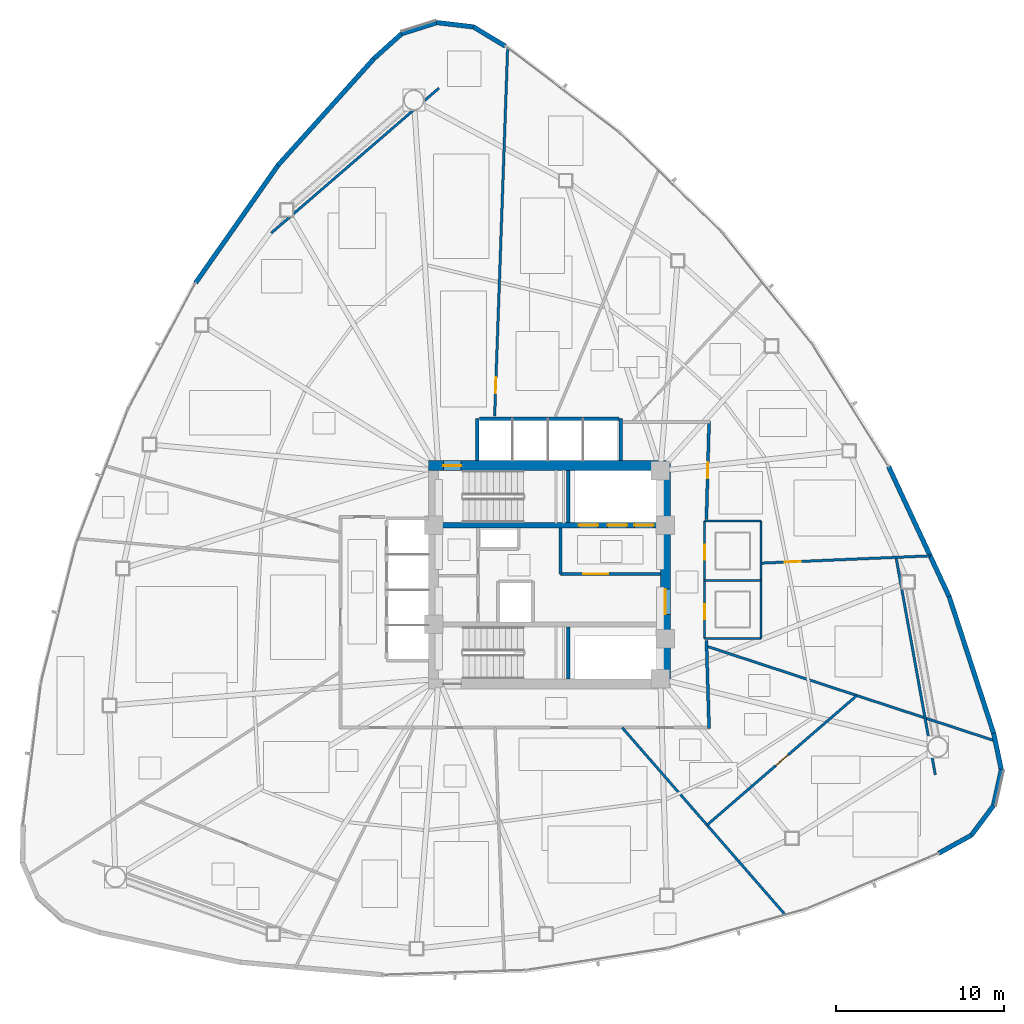
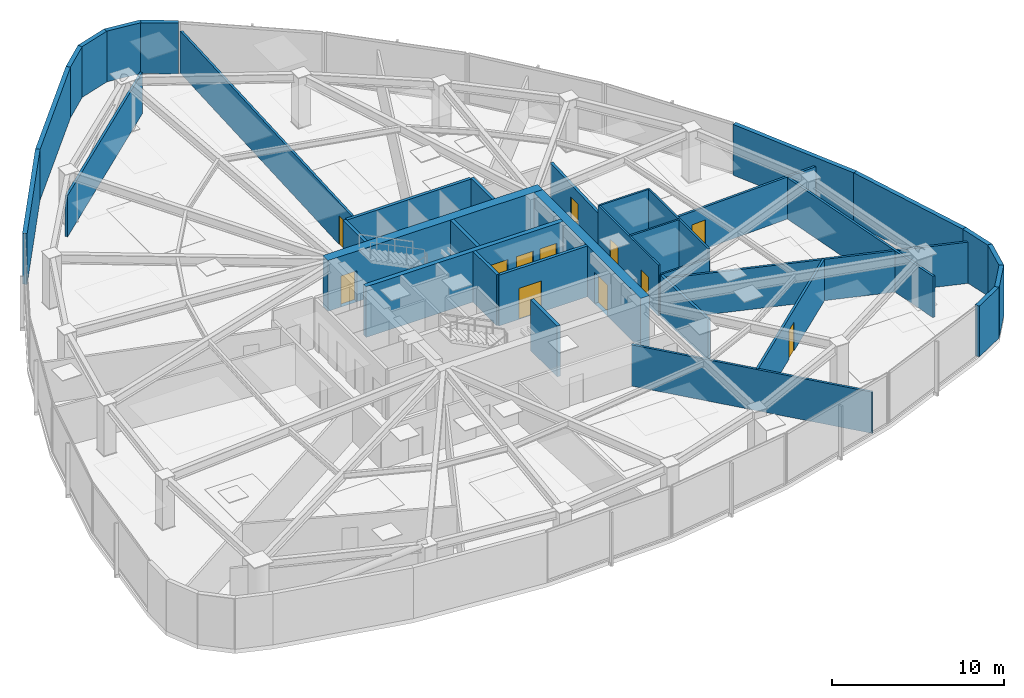
# One storey, part 13 of 18: 36 walls, 12 doors, 12 openings.
"""IFC4 building model written with IfcOpenShell, lengths in metres."""

from ifc_helpers import new_model, si_unit, direction, frame, frame_2d, origin, place, context, subcontext, project, spatial, rectangle, extrude, material, layer, layer_set, type_object, element, fill, save


model = new_model("IFC4")

# Units and contexts
model_context = context("Model", 3, precision=1e-05, world=origin(), true_north=direction((0.0, 1.0)))
body_context = subcontext(model_context, "Body", "Model", "MODEL_VIEW")
ifc_project = project(units=[si_unit("LENGTHUNIT", "METRE"), si_unit("AREAUNIT", "SQUARE_METRE"), si_unit("VOLUMEUNIT", "CUBIC_METRE"), si_unit("PLANEANGLEUNIT", "RADIAN"), si_unit("MASSUNIT", "GRAM", prefix="KILO")], contexts=[model_context])

# Site, building, storey
site_placement = place(None, origin())
site = spatial("IfcSite", under=ifc_project, at=site_placement, CompositionType="ELEMENT")
building_placement = place(site_placement, origin())
building = spatial("IfcBuilding", under=site, at=building_placement, Name="Tavelor Broadcast Tower", CompositionType="ELEMENT")
storey_placement = place(building_placement, frame((0.0, 0.0, 47.10009765625)))
storey = spatial("IfcBuildingStorey", under=building, at=storey_placement, Name="L10", CompositionType="ELEMENT", Elevation=47.10009765625)

# Wall, opening, door
ifc_material_1 = material(Name="Concrete C60/75", Category="concrete")
ifc_layer_1 = layer(ifc_material_1, 0.60009765625)
ifc_layer_set_1 = layer_set([ifc_layer_1], Name="Concrete C60/75")
wall_type_1 = type_object("IfcWallType", Name="Core Shear Wall 600 mm", PredefinedType="SHEAR", material=ifc_layer_set_1)
wall_1_placement = place(storey_placement, frame((42.800048828125, 51.5, 0.0), z_axis=(0.0, 0.0, 1.0), x_axis=(1.0, 0.0, 0.0)))
wall_1 = element("IfcWall", 1, at=wall_1_placement, inside=storey, type_object=wall_type_1, Name="L10 Central Core Shear Wall N", PredefinedType="SHEAR", context=body_context, shape_type="SweptSolid", body=[
    extrude(rectangle(XDim=14.39990234375, YDim=0.60009765625, at=frame_2d((7.199951171875, 0.0))), origin(), (0.0, 0.0, 1.0), 3.599853515625),
])
opening_1_placement = place(wall_1_placement, frame((0.8798828125, 0.0, 0.0)))
opening_1 = element("IfcOpeningElement", 2, at=opening_1_placement, cuts=wall_1, Name="Opening DR11", PredefinedType="OPENING", context=body_context, shape_type="SweptSolid", body=[
    extrude(rectangle(XDim=1.050048828125, YDim=2.199951171875, at=frame_2d((0.52490234375, 1.10009765625))), frame((0.0, 0.31005859375, 0.0), z_axis=(0.0, -1.0, 0.0), x_axis=(1.0, 0.0, 0.0)), (0.0, 0.0, 1.0), 0.6201171875),
])
ifc_material_2 = material(Name="Steel S355", Category="steel")
door_type_1 = type_object("IfcDoorType", Name="Stair Core Fire Escape Door 1050x2200", OperationType="NOTDEFINED", PredefinedType="DOOR", material=ifc_material_2)
door_1_placement = place(opening_1_placement, origin())
door_1 = element("IfcDoor", 3, at=door_1_placement, inside=storey, type_object=door_type_1, Name="L10 Stair ST1 Protected Exit Door", OperationType="SINGLE_SWING_LEFT", OverallHeight=2.199951171875, OverallWidth=1.050048828125, PredefinedType="DOOR", context=body_context, shape_type="SweptSolid", body=[
    extrude(rectangle(XDim=1.050048828125, YDim=2.199951171875, at=frame_2d((0.52490234375, 1.10009765625))), frame((0.0, 0.02490234375, 0.0), z_axis=(0.0, -1.0, 0.0), x_axis=(1.0, 0.0, 0.0)), (0.0, 0.0, 1.0), 0.050048828125),
])
fill(opening_1, door_1)

wall_2_placement = place(storey_placement, frame((56.89990234375, 38.800048828125, 0.0), z_axis=(0.0, 0.0, 1.0), x_axis=(0.0, 1.0, 0.0)))
wall_2 = element("IfcWall", 4, at=wall_2_placement, inside=storey, type_object=wall_type_1, Name="L10 Central Core Shear Wall E", PredefinedType="SHEAR", context=body_context, shape_type="SweptSolid", body=[
    extrude(rectangle(XDim=12.39990234375, YDim=0.60009765625, at=frame_2d((6.199951171875, 0.0))), origin(), (0.0, 0.0, 1.0), 3.599853515625),
])
opening_2_placement = place(wall_2_placement, frame((3.85009765625, 0.0, 0.0)))
opening_2 = element("IfcOpeningElement", 5, at=opening_2_placement, cuts=wall_2, Name="Opening DR14", PredefinedType="OPENING", context=body_context, shape_type="SweptSolid", body=[
    extrude(rectangle(XDim=1.5, YDim=2.199951171875, at=frame_2d((0.75, 1.10009765625))), frame((0.0, 0.31005859375, 0.0), z_axis=(0.0, -1.0, 0.0), x_axis=(1.0, 0.0, 0.0)), (0.0, 0.0, 1.0), 0.6201171875),
])
door_type_2 = type_object("IfcDoorType", Name="Firefighting Lobby Double Fire Door 1500x2200", OperationType="NOTDEFINED", PredefinedType="DOOR", material=ifc_material_2)
door_2_placement = place(opening_2_placement, origin())
door_2 = element("IfcDoor", 6, at=door_2_placement, inside=storey, type_object=door_type_2, Name="L10 Central Core Lobby Fire Door", OperationType="SINGLE_SWING_LEFT", OverallHeight=2.199951171875, OverallWidth=1.5, PredefinedType="DOOR", context=body_context, shape_type="SweptSolid", body=[
    extrude(rectangle(XDim=1.5, YDim=2.199951171875, at=frame_2d((0.75, 1.10009765625))), frame((0.0, 0.02490234375, 0.0), z_axis=(0.0, -1.0, 0.0), x_axis=(1.0, 0.0, 0.0)), (0.0, 0.0, 1.0), 0.050048828125),
])
fill(opening_2, door_2)

# Wall, openings, doors
ifc_layer_2 = layer(ifc_material_1, 0.300048828125)
ifc_layer_set_2 = layer_set([ifc_layer_2], Name="Concrete C60/75")
wall_type_2 = type_object("IfcWallType", Name="Core Spine Shear Wall 300 mm C60", PredefinedType="SHEAR", material=ifc_layer_set_2)
wall_3_placement = place(storey_placement, frame((43.39990234375, 47.949951171875, 0.0), z_axis=(0.0, 0.0, 1.0), x_axis=(1.0, 0.0, 0.0)))
wall_3 = element("IfcWall", 7, at=wall_3_placement, inside=storey, type_object=wall_type_2, Name="L10 Central Core Shear Wall SP1", PredefinedType="SHEAR", context=body_context, shape_type="SweptSolid", body=[
    extrude(rectangle(XDim=13.2001953125, YDim=0.300048828125, at=frame_2d((6.60009765625, 0.0))), origin(), (0.0, 0.0, 1.0), 3.599853515625),
])
opening_3_placement = place(wall_3_placement, frame((8.344970703125, 0.0, 0.0)))
opening_3 = element("IfcOpeningElement", 8, at=opening_3_placement, cuts=wall_3, Name="Opening LD02", PredefinedType="OPENING", context=body_context, shape_type="SweptSolid", body=[
    extrude(rectangle(XDim=1.14990234375, YDim=2.199951171875, at=frame_2d((0.574951171875, 1.10009765625))), frame((0.0, 0.16015625, 0.0), z_axis=(0.0, -1.0, 0.0), x_axis=(1.0, 0.0, 0.0)), (0.0, 0.0, 1.0), 0.320068359375),
])
opening_4_placement = place(wall_3_placement, frame((10.06494140625, 0.0, 0.0)))
opening_4 = element("IfcOpeningElement", 9, at=opening_4_placement, cuts=wall_3, Name="Opening LD02", PredefinedType="OPENING", context=body_context, shape_type="SweptSolid", body=[
    extrude(rectangle(XDim=1.14990234375, YDim=2.199951171875, at=frame_2d((0.574951171875, 1.10009765625))), frame((0.0, 0.16015625, 0.0), z_axis=(0.0, -1.0, 0.0), x_axis=(1.0, 0.0, 0.0)), (0.0, 0.0, 1.0), 0.320068359375),
])
opening_5_placement = place(wall_3_placement, frame((11.64501953125, 0.0, 0.0)))
opening_5 = element("IfcOpeningElement", 10, at=opening_5_placement, cuts=wall_3, Name="Opening LD03", PredefinedType="OPENING", context=body_context, shape_type="SweptSolid", body=[
    extrude(rectangle(XDim=1.14990234375, YDim=2.199951171875, at=frame_2d((0.574951171875, 1.10009765625))), frame((0.0, 0.16015625, 0.0), z_axis=(0.0, -1.0, 0.0), x_axis=(1.0, 0.0, 0.0)), (0.0, 0.0, 1.0), 0.320068359375),
])
ifc_material_3 = material(Name="Reinforced Brushed Stainless Steel", Category="concrete")
door_type_3 = type_object("IfcDoorType", Name="Broadcast Goods Lift Sliding Landing Door 1250x2200", OperationType="NOTDEFINED", PredefinedType="DOOR", material=ifc_material_3)
door_3_placement = place(opening_5_placement, origin())
door_3 = element("IfcDoor", 11, at=door_3_placement, inside=storey, type_object=door_type_3, Name="L10 Lift SVL1 Sliding Landing Door", OperationType="SLIDING_TO_LEFT", OverallHeight=2.199951171875, OverallWidth=1.14990234375, PredefinedType="DOOR", context=body_context, shape_type="SweptSolid", body=[
    extrude(rectangle(XDim=1.14990234375, YDim=2.199951171875, at=frame_2d((0.574951171875, 1.10009765625))), frame((0.0, 0.02490234375, 0.0), z_axis=(0.0, -1.0, 0.0), x_axis=(1.0, 0.0, 0.0)), (0.0, 0.0, 1.0), 0.050048828125),
])
fill(opening_5, door_3)
ifc_material_4 = material(Name="Fire-Rated Stainless Steel", Category="steel")
door_type_4 = type_object("IfcDoorType", Name="Firefighting Lift Sliding Landing Door 1200x2200", OperationType="NOTDEFINED", PredefinedType="DOOR", material=ifc_material_4)
door_4_placement = place(opening_3_placement, origin())
door_4 = element("IfcDoor", 12, at=door_4_placement, inside=storey, type_object=door_type_4, Name="L10 Lift FFL1 Sliding Landing Door", OperationType="SLIDING_TO_LEFT", OverallHeight=2.199951171875, OverallWidth=1.14990234375, PredefinedType="DOOR", context=body_context, shape_type="SweptSolid", body=[
    extrude(rectangle(XDim=1.14990234375, YDim=2.199951171875, at=frame_2d((0.574951171875, 1.10009765625))), frame((0.0, 0.02490234375, 0.0), z_axis=(0.0, -1.0, 0.0), x_axis=(1.0, 0.0, 0.0)), (0.0, 0.0, 1.0), 0.050048828125),
])
fill(opening_3, door_4)
door_5_placement = place(opening_4_placement, origin())
door_5 = element("IfcDoor", 13, at=door_5_placement, inside=storey, type_object=door_type_4, Name="L10 Lift FFL2 Sliding Landing Door", OperationType="SLIDING_TO_LEFT", OverallHeight=2.199951171875, OverallWidth=1.14990234375, PredefinedType="DOOR", context=body_context, shape_type="SweptSolid", body=[
    extrude(rectangle(XDim=1.14990234375, YDim=2.199951171875, at=frame_2d((0.574951171875, 1.10009765625))), frame((0.0, 0.02490234375, 0.0), z_axis=(0.0, -1.0, 0.0), x_axis=(1.0, 0.0, 0.0)), (0.0, 0.0, 1.0), 0.050048828125),
])
fill(opening_4, door_5)

# Wall, opening, door
ifc_material_5 = material(Name="Calcium Silicate Fire Board 180 mm", Category="gypsum")
ifc_layer_3 = layer(ifc_material_5, 0.179931640625)
ifc_layer_set_3 = layer_set([ifc_layer_3], Name="Calcium Silicate Fire Board 180 mm")
wall_type_3 = type_object("IfcWallType", Name="Fire-Rated Corridor Partition Wall 180 mm", PredefinedType="PARTITIONING", material=ifc_layer_set_3)
wall_4_placement = place(storey_placement, frame((59.50146484375, 54.14990234375, 0.0), z_axis=(0.0, 0.0, 1.0), x_axis=(-0.027367567602, -0.999625437973, 0.0)))
wall_4 = element("IfcWall", 14, at=wall_4_placement, inside=storey, type_object=wall_type_3, Name="L10 Corridor Compartment Wall 02", PredefinedType="PARTITIONING", context=body_context, shape_type="SweptSolid", body=[
    extrude(rectangle(XDim=5.85205078125, YDim=0.179931640625, at=frame_2d((2.926025390625, 0.0))), origin(), (0.0, 0.0, 1.0), 2.9248046875),
])
opening_6_placement = place(wall_4_placement, frame((2.451171875, 0.0, 0.0)))
opening_6 = element("IfcOpeningElement", 15, at=opening_6_placement, cuts=wall_4, Name="Opening DR18", PredefinedType="OPENING", context=body_context, shape_type="SweptSolid", body=[
    extrude(rectangle(XDim=0.949951171875, YDim=2.050048828125, at=frame_2d((0.47509765625, 1.02490234375))), frame((0.0, 0.10009765625, 0.0), z_axis=(0.0, -1.0, 0.0), x_axis=(1.0, 0.0, 0.0)), (0.0, 0.0, 1.0), 0.199951171875),
])
ifc_material_6 = material(Name="Timber Solid Core Hardwood", Category="wood")
door_type_5 = type_object("IfcDoorType", Name="Corridor Rated Compartment Door 950x2050", OperationType="NOTDEFINED", PredefinedType="DOOR", material=ifc_material_6)
door_6_placement = place(opening_6_placement, origin())
door_6 = element("IfcDoor", 16, at=door_6_placement, inside=storey, type_object=door_type_5, Name="L10 Broadcast Concierge Desk Door R8", OperationType="SINGLE_SWING_LEFT", OverallHeight=2.050048828125, OverallWidth=0.949951171875, PredefinedType="DOOR", context=body_context, shape_type="SweptSolid", body=[
    extrude(rectangle(XDim=0.949951171875, YDim=2.050048828125, at=frame_2d((0.47509765625, 1.02490234375))), frame((0.0, 0.02490234375, 0.0), z_axis=(0.0, -1.0, 0.0), x_axis=(1.0, 0.0, 0.0)), (0.0, 0.0, 1.0), 0.050048828125),
])
fill(opening_6, door_6)

# Walls
wall_5_placement = place(storey_placement, frame((59.341552734375, 41.10009765625, 0.0), z_axis=(0.0, 0.0, 1.0), x_axis=(0.030445329425, -0.999536433511, 0.0)))
element("IfcWall", 17, at=wall_5_placement, inside=storey, type_object=wall_type_3, Name="L10 Corridor Compartment Wall 03", PredefinedType="PARTITIONING", context=body_context, shape_type="SweptSolid", body=[
    extrude(rectangle(XDim=5.25244140625, YDim=0.179931640625, at=frame_2d((2.626220703125, 0.0))), origin(), (0.0, 0.0, 1.0), 2.9248046875),
])
ifc_material_7 = material(Name="Precast Concrete C40/50", Category="concrete")
ifc_layer_4 = layer(ifc_material_7, 0.280029296875)
ifc_layer_set_4 = layer_set([ifc_layer_4], Name="Precast Concrete C40/50")
wall_type_4 = type_object("IfcWallType", Name="Insulated Precast Terracotta Facade Wall 280 mm", PredefinedType="STANDARD", material=ifc_layer_set_4)
wall_6_placement = place(storey_placement, frame((47.366455078125, 76.481201171875, 0.0), z_axis=(0.0, 0.0, 1.0), x_axis=(-0.856729482921, 0.515766025533, 0.0)))
element("IfcWall", 18, at=wall_6_placement, inside=storey, type_object=wall_type_4, Name="L10 Rounded Corner Structural Cladding Pier 01", PredefinedType="STANDARD", context=body_context, shape_type="SweptSolid", body=[
    extrude(rectangle(XDim=2.23193359375, YDim=0.280029296875, at=frame_2d((1.115966796875, 0.0))), origin(), (0.0, 0.0, 1.0), 3.599853515625),
])
for number, where, z_axis, x_axis, name in (
    (19, (45.48193359375, 77.622802734375, 0.0), (0.0, 0.0, 1.0), (-0.993068555085, 0.117536568355, 0.0), "L10 Rounded Corner Structural Cladding Pier 02"),
    (20, (43.305908203125, 77.88671875, 0.0), (0.0, 0.0, 1.0), (-0.953431320319, -0.301610207777, 0.0), "L10 Rounded Corner Structural Cladding Pier 03"),
):
    element("IfcWall", number, at=place(storey_placement, frame(where, z_axis=z_axis, x_axis=x_axis)), inside=storey, type_object=wall_type_4, Name=name, PredefinedType="STANDARD", context=body_context, shape_type="SweptSolid", body=[
        extrude(rectangle(XDim=2.220458984375, YDim=0.280029296875, at=frame_2d((1.1103515625, 0.0))), origin(), (0.0, 0.0, 1.0), 3.599853515625),
    ])
wall_7_placement = place(storey_placement, frame((41.21435546875, 77.231689453125, 0.0), z_axis=(0.0, 0.0, 1.0), x_axis=(-0.744893932404, -0.667182905557, 0.0)))
element("IfcWall", 21, at=wall_7_placement, inside=storey, type_object=wall_type_4, Name="L10 Rounded Corner Structural Cladding Pier 04", PredefinedType="STANDARD", context=body_context, shape_type="SweptSolid", body=[
    extrude(rectangle(XDim=2.2431640625, YDim=0.280029296875, at=frame_2d((1.12158203125, 0.0))), origin(), (0.0, 0.0, 1.0), 3.599853515625),
])
wall_8_placement = place(storey_placement, frame((39.564697265625, 75.756103515625, 0.0), z_axis=(0.0, 0.0, 1.0), x_axis=(-0.668838974703, -0.743407308222, 0.0)))
element("IfcWall", 22, at=wall_8_placement, inside=storey, type_object=wall_type_4, Name="L10 Rounded Corner Structural Cladding Pier 05", PredefinedType="STANDARD", context=body_context, shape_type="SweptSolid", body=[
    extrude(rectangle(XDim=8.581298828125, YDim=0.280029296875, at=frame_2d((4.29052734375, 0.0))), origin(), (0.0, 0.0, 1.0), 3.599853515625),
])
wall_9_placement = place(storey_placement, frame((33.843994140625, 69.400146484375, 0.0), z_axis=(0.0, 0.0, 1.0), x_axis=(-0.573957466655, -0.818885111887, 0.0)))
element("IfcWall", 23, at=wall_9_placement, inside=storey, type_object=wall_type_4, Name="L10 Rounded Corner Structural Cladding Pier 06", PredefinedType="STANDARD", context=body_context, shape_type="SweptSolid", body=[
    extrude(rectangle(XDim=8.5693359375, YDim=0.280029296875, at=frame_2d((4.28466796875, 0.0))), origin(), (0.0, 0.0, 1.0), 3.599853515625),
])
wall_10_placement = place(storey_placement, frame((73.18017578125, 28.42236328125, 0.0), z_axis=(0.0, 0.0, 1.0), x_axis=(0.875012355791, 0.484100585842, 0.0)))
element("IfcWall", 24, at=wall_10_placement, inside=storey, type_object=wall_type_4, Name="L10 Rounded Corner Structural Cladding Pier 21", PredefinedType="STANDARD", context=body_context, shape_type="SweptSolid", body=[
    extrude(rectangle(XDim=2.232177734375, YDim=0.280029296875, at=frame_2d((1.1162109375, 0.0))), origin(), (0.0, 0.0, 1.0), 3.599853515625),
])
wall_11_placement = place(storey_placement, frame((75.111328125, 29.483642578125, 0.0), z_axis=(0.0, 0.0, 1.0), x_axis=(0.598362648916, 0.801225399237, 0.0)))
element("IfcWall", 25, at=wall_11_placement, inside=storey, type_object=wall_type_4, Name="L10 Rounded Corner Structural Cladding Pier 22", PredefinedType="STANDARD", context=body_context, shape_type="SweptSolid", body=[
    extrude(rectangle(XDim=2.220458984375, YDim=0.280029296875, at=frame_2d((1.1103515625, 0.0))), origin(), (0.0, 0.0, 1.0), 3.599853515625),
])
wall_12_placement = place(storey_placement, frame((76.427734375, 31.236083984375, 0.0), z_axis=(0.0, 0.0, 1.0), x_axis=(0.215486744028, 0.976506765541, 0.0)))
element("IfcWall", 26, at=wall_12_placement, inside=storey, type_object=wall_type_4, Name="L10 Rounded Corner Structural Cladding Pier 23", PredefinedType="STANDARD", context=body_context, shape_type="SweptSolid", body=[
    extrude(rectangle(XDim=2.220703125, YDim=0.280029296875, at=frame_2d((1.1103515625, 0.0))), origin(), (0.0, 0.0, 1.0), 3.599853515625),
])
wall_13_placement = place(storey_placement, frame((76.90625, 33.375244140625, 0.0), z_axis=(0.0, 0.0, 1.0), x_axis=(-0.205401511732, 0.978677791195, 0.0)))
element("IfcWall", 27, at=wall_13_placement, inside=storey, type_object=wall_type_4, Name="L10 Rounded Corner Structural Cladding Pier 24", PredefinedType="STANDARD", context=body_context, shape_type="SweptSolid", body=[
    extrude(rectangle(XDim=2.242919921875, YDim=0.280029296875, at=frame_2d((1.12158203125, 0.0))), origin(), (0.0, 0.0, 1.0), 3.599853515625),
])
wall_14_placement = place(storey_placement, frame((76.453369140625, 35.54150390625, 0.0), z_axis=(0.0, 0.0, 1.0), x_axis=(-0.309417348559, 0.95092634016, 0.0)))
element("IfcWall", 28, at=wall_14_placement, inside=storey, type_object=wall_type_4, Name="L10 Rounded Corner Structural Cladding Pier 25", PredefinedType="STANDARD", context=body_context, shape_type="SweptSolid", body=[
    extrude(rectangle(XDim=8.58154296875, YDim=0.280029296875, at=frame_2d((4.290771484375, 0.0))), origin(), (0.0, 0.0, 1.0), 3.599853515625),
])
wall_15_placement = place(storey_placement, frame((73.80908203125, 43.673828125, 0.0), z_axis=(0.0, 0.0, 1.0), x_axis=(-0.422197521506, 0.906503862559, 0.0)))
element("IfcWall", 29, at=wall_15_placement, inside=storey, type_object=wall_type_4, Name="L10 Rounded Corner Structural Cladding Pier 26", PredefinedType="STANDARD", context=body_context, shape_type="SweptSolid", body=[
    extrude(rectangle(XDim=8.5693359375, YDim=0.280029296875, at=frame_2d((4.28466796875, 0.0))), origin(), (0.0, 0.0, 1.0), 3.599853515625),
])
ifc_material_8 = material(Name="Gypsum Acoustic Plasterboard 150 mm", Category="gypsum")
ifc_layer_5 = layer(ifc_material_8, 0.14990234375)
ifc_layer_set_5 = layer_set([ifc_layer_5], Name="Gypsum Acoustic Plasterboard 150 mm")
wall_type_5 = type_object("IfcWallType", Name="Interior Acoustic Partition Wall 150 mm", PredefinedType="PARTITIONING", material=ifc_layer_set_5)
wall_16_placement = place(storey_placement, frame((43.42138671875, 73.9794921875, 0.0), z_axis=(0.0, 0.0, 1.0), x_axis=(-0.756659135409, -0.653809569218, 0.0)))
element("IfcWall", 30, at=wall_16_placement, inside=storey, type_object=wall_type_5, Name="L10 Corner Tube Brace Furring Wall 1", PredefinedType="PARTITIONING", context=body_context, shape_type="SweptSolid", body=[
    extrude(rectangle(XDim=13.200439453125, YDim=0.14990234375, at=frame_2d((6.60009765625, 0.0))), origin(), (0.0, 0.0, 1.0), 2.9248046875),
])
wall_17_placement = place(storey_placement, frame((72.96923828125, 33.09130859375, 0.0), z_axis=(0.0, 0.0, 1.0), x_axis=(-0.177742578179, 0.984077017261, 0.0)))
element("IfcWall", 31, at=wall_17_placement, inside=storey, type_object=wall_type_5, Name="L10 Corner Tube Brace Furring Wall 3", PredefinedType="PARTITIONING", context=body_context, shape_type="SweptSolid", body=[
    extrude(rectangle(XDim=13.179443359375, YDim=0.14990234375, at=frame_2d((6.58984375, 0.0))), origin(), (0.0, 0.0, 1.0), 2.9248046875),
])

# Wall, opening, door
wall_18_placement = place(storey_placement, frame((46.7333984375, 54.449951171875, 0.0), z_axis=(0.0, 0.0, 1.0), x_axis=(0.035281696351, 0.99937740714, 0.0)))
wall_18 = element("IfcWall", 32, at=wall_18_placement, inside=storey, type_object=wall_type_5, Name="L10 Radial Compartment Wall 03", PredefinedType="PARTITIONING", context=body_context, shape_type="SweptSolid", body=[
    extrude(rectangle(XDim=21.949462890625, YDim=0.14990234375, at=frame_2d((10.974609375, 0.0))), origin(), (0.0, 0.0, 1.0), 2.974853515625),
])
opening_7_placement = place(wall_18_placement, frame((1.35009765625, 0.0, 0.0)))
opening_7 = element("IfcOpeningElement", 33, at=opening_7_placement, cuts=wall_18, Name="Opening DR18", PredefinedType="OPENING", context=body_context, shape_type="SweptSolid", body=[
    extrude(rectangle(XDim=0.949951171875, YDim=2.050048828125, at=frame_2d((0.47509765625, 1.02490234375))), frame((0.0, 0.0849609375, 0.0), z_axis=(0.0, -1.0, 0.0), x_axis=(1.0, 0.0, 0.0)), (0.0, 0.0, 1.0), 0.169921875),
])
door_7_placement = place(opening_7_placement, origin())
door_7 = element("IfcDoor", 34, at=door_7_placement, inside=storey, type_object=door_type_5, Name="L10 Suite Connecting Door 6", OperationType="SINGLE_SWING_RIGHT", OverallHeight=2.050048828125, OverallWidth=0.949951171875, PredefinedType="DOOR", context=body_context, shape_type="SweptSolid", body=[
    extrude(rectangle(XDim=0.949951171875, YDim=2.050048828125, at=frame_2d((0.47509765625, 1.02490234375))), frame((0.0, 0.02490234375, 0.0), z_axis=(0.0, -1.0, 0.0), x_axis=(1.0, 0.0, 0.0)), (0.0, 0.0, 1.0), 0.050048828125),
])
fill(opening_7, door_7)

# Walls
wall_19_placement = place(storey_placement, frame((54.327392578125, 35.89990234375, 0.0), z_axis=(0.0, 0.0, 1.0), x_axis=(0.656858856965, -0.754013555598, 0.0)))
element("IfcWall", 35, at=wall_19_placement, inside=storey, type_object=wall_type_5, Name="L10 Radial Compartment Wall 09", PredefinedType="PARTITIONING", context=body_context, shape_type="SweptSolid", body=[
    extrude(rectangle(XDim=14.791015625, YDim=0.14990234375, at=frame_2d((7.3955078125, 0.0))), origin(), (0.0, 0.0, 1.0), 2.9248046875),
])
wall_20_placement = place(storey_placement, frame((59.352294921875, 40.748046875, 0.0), z_axis=(0.0, 0.0, 1.0), x_axis=(0.950114950504, -0.311899953237, 0.0)))
element("IfcWall", 36, at=wall_20_placement, inside=storey, type_object=wall_type_5, Name="L10 Radial Compartment Wall 10", PredefinedType="PARTITIONING", context=body_context, shape_type="SweptSolid", body=[
    extrude(rectangle(XDim=18.10498046875, YDim=0.14990234375, at=frame_2d((9.052490234375, 0.0))), origin(), (0.0, 0.0, 1.0), 2.9248046875),
])

# Wall, opening, door
wall_21_placement = place(storey_placement, frame((62.64990234375, 45.697509765625, 0.0), z_axis=(0.0, 0.0, 1.0), x_axis=(0.999078922316, 0.042910453093, 0.0)))
wall_21 = element("IfcWall", 37, at=wall_21_placement, inside=storey, type_object=wall_type_5, Name="L10 Radial Compartment Wall 11", PredefinedType="PARTITIONING", context=body_context, shape_type="SweptSolid", body=[
    extrude(rectangle(XDim=10.036376953125, YDim=0.14990234375, at=frame_2d((5.01806640625, 0.0))), origin(), (0.0, 0.0, 1.0), 2.974853515625),
])
opening_8_placement = place(wall_21_placement, frame((1.35009765625, 0.0, 0.0)))
opening_8 = element("IfcOpeningElement", 38, at=opening_8_placement, cuts=wall_21, Name="Opening DR18", PredefinedType="OPENING", context=body_context, shape_type="SweptSolid", body=[
    extrude(rectangle(XDim=0.949951171875, YDim=2.050048828125, at=frame_2d((0.47509765625, 1.02490234375))), frame((0.0, 0.0849609375, 0.0), z_axis=(0.0, -1.0, 0.0), x_axis=(1.0, 0.0, 0.0)), (0.0, 0.0, 1.0), 0.169921875),
])
door_8_placement = place(opening_8_placement, origin())
door_8 = element("IfcDoor", 39, at=door_8_placement, inside=storey, type_object=door_type_5, Name="L10 Suite Connecting Door 9", OperationType="SINGLE_SWING_RIGHT", OverallHeight=2.050048828125, OverallWidth=0.949951171875, PredefinedType="DOOR", context=body_context, shape_type="SweptSolid", body=[
    extrude(rectangle(XDim=0.949951171875, YDim=2.050048828125, at=frame_2d((0.47509765625, 1.02490234375))), frame((0.0, 0.02490234375, 0.0), z_axis=(0.0, -1.0, 0.0), x_axis=(1.0, 0.0, 0.0)), (0.0, 0.0, 1.0), 0.050048828125),
])
fill(opening_8, door_8)

wall_22_placement = place(storey_placement, frame((59.37939453125, 30.1005859375, 0.0), z_axis=(0.0, 0.0, 1.0), x_axis=(0.756432674677, 0.654071562354, 0.0)))
wall_22 = element("IfcWall", 40, at=wall_22_placement, inside=storey, type_object=wall_type_5, Name="L10 Suite Chord Partition Wall 02", PredefinedType="PARTITIONING", context=body_context, shape_type="SweptSolid", body=[
    extrude(rectangle(XDim=11.78955078125, YDim=0.14990234375, at=frame_2d((5.894775390625, 0.0))), origin(), (0.0, 0.0, 1.0), 2.9248046875),
])
opening_9_placement = place(wall_22_placement, frame((5.419677734375, 0.0, 0.0)))
opening_9 = element("IfcOpeningElement", 41, at=opening_9_placement, cuts=wall_22, Name="Opening DR23", PredefinedType="OPENING", context=body_context, shape_type="SweptSolid", body=[
    extrude(rectangle(XDim=0.949951171875, YDim=2.050048828125, at=frame_2d((0.47509765625, 1.02490234375))), frame((0.0, 0.0849609375, 0.0), z_axis=(0.0, -1.0, 0.0), x_axis=(1.0, 0.0, 0.0)), (0.0, 0.0, 1.0), 0.169921875),
])
door_type_6 = type_object("IfcDoorType", Name="Editorial Room Acoustic Door 950x2050", OperationType="NOTDEFINED", PredefinedType="DOOR", material=ifc_material_6)
door_9_placement = place(opening_9_placement, origin())
door_9 = element("IfcDoor", 42, at=door_9_placement, inside=storey, type_object=door_type_6, Name="L10 Outer Suite Partition Door 2", OperationType="SINGLE_SWING_RIGHT", OverallHeight=2.050048828125, OverallWidth=0.949951171875, PredefinedType="DOOR", context=body_context, shape_type="SweptSolid", body=[
    extrude(rectangle(XDim=0.949951171875, YDim=2.050048828125, at=frame_2d((0.47509765625, 1.02490234375))), frame((0.0, 0.02490234375, 0.0), z_axis=(0.0, -1.0, 0.0), x_axis=(1.0, 0.0, 0.0)), (0.0, 0.0, 1.0), 0.050048828125),
])
fill(opening_9, door_9)

# Walls
ifc_material_9 = material(Name="Concrete Blockwork 200 mm", Category="masonry")
ifc_layer_6 = layer(ifc_material_9, 0.199951171875)
ifc_layer_set_6 = layer_set([ifc_layer_6], Name="Concrete Blockwork 200 mm")
wall_type_6 = type_object("IfcWallType", Name="Lift Hoistway Rated Front Wall 200 mm", PredefinedType="PARTITIONING", material=ifc_layer_set_6)
wall_23_placement = place(storey_placement, frame((45.820068359375, 54.300048828125, 0.0), z_axis=(0.0, 0.0, 1.0), x_axis=(1.0, 0.0, 0.0)))
element("IfcWall", 43, at=wall_23_placement, inside=storey, type_object=wall_type_6, Name="L10 High-Rise Lift Hoistway Front Wall", PredefinedType="PARTITIONING", context=body_context, shape_type="SweptSolid", body=[
    extrude(rectangle(XDim=8.309814453125, YDim=0.199951171875, at=frame_2d((4.15478515625, 0.0))), origin(), (0.0, 0.0, 1.0), 3.599853515625),
])
ifc_layer_7 = layer(ifc_material_9, 0.199951171875)
ifc_layer_set_7 = layer_set([ifc_layer_7], Name="Concrete Blockwork 200 mm")
wall_type_7 = type_object("IfcWallType", Name="Lift and Riser Shaft Enclosure Wall 200 mm", PredefinedType="PARTITIONING", material=ifc_layer_set_7)
for number, where, z_axis, x_axis, name in (
    (44, (45.699951171875, 51.800048828125, 0.0), (0.0, 0.0, 1.0), (0.0, 1.0, 0.0), "L10 High-Rise Lift Shaft West Wall"),
    (45, (54.25, 51.800048828125, 0.0), (0.0, 0.0, 1.0), (0.0, 1.0, 0.0), "L10 High-Rise Lift Shaft East Wall"),
):
    element("IfcWall", number, at=place(storey_placement, frame(where, z_axis=z_axis, x_axis=x_axis)), inside=storey, type_object=wall_type_7, Name=name, PredefinedType="PARTITIONING", context=body_context, shape_type="SweptSolid", body=[
        extrude(rectangle(XDim=2.5, YDim=0.199951171875, at=frame_2d((1.25, 0.0))), origin(), (0.0, 0.0, 1.0), 3.599853515625),
    ])

# Wall, opening, door
wall_24_placement = place(storey_placement, frame((50.64990234375, 45.050048828125, 0.0), z_axis=(0.0, 0.0, 1.0), x_axis=(1.0, 0.0, 0.0)))
wall_24 = element("IfcWall", 46, at=wall_24_placement, inside=storey, type_object=wall_type_7, Name="L10 Firefighting Lobby South Wall", PredefinedType="PARTITIONING", context=body_context, shape_type="SweptSolid", body=[
    extrude(rectangle(XDim=5.9501953125, YDim=0.199951171875, at=frame_2d((2.97509765625, 0.0))), origin(), (0.0, 0.0, 1.0), 3.599853515625),
])
opening_10_placement = place(wall_24_placement, frame((1.35009765625, 0.0, 0.0)))
opening_10 = element("IfcOpeningElement", 47, at=opening_10_placement, cuts=wall_24, Name="Opening DR14", PredefinedType="OPENING", context=body_context, shape_type="SweptSolid", body=[
    extrude(rectangle(XDim=1.5, YDim=2.199951171875, at=frame_2d((0.75, 1.10009765625))), frame((0.0, 0.10986328125, 0.0), z_axis=(0.0, -1.0, 0.0), x_axis=(1.0, 0.0, 0.0)), (0.0, 0.0, 1.0), 0.219970703125),
])
door_10_placement = place(opening_10_placement, origin())
door_10 = element("IfcDoor", 48, at=door_10_placement, inside=storey, type_object=door_type_2, Name="L10 Firefighting Lobby Compartment Door", OperationType="SINGLE_SWING_RIGHT", OverallHeight=2.199951171875, OverallWidth=1.5, PredefinedType="DOOR", context=body_context, shape_type="SweptSolid", body=[
    extrude(rectangle(XDim=1.5, YDim=2.199951171875, at=frame_2d((0.75, 1.10009765625))), frame((0.0, 0.02490234375, 0.0), z_axis=(0.0, -1.0, 0.0), x_axis=(1.0, 0.0, 0.0)), (0.0, 0.0, 1.0), 0.050048828125),
])
fill(opening_10, door_10)

# Wall
wall_25_placement = place(storey_placement, frame((50.64990234375, 45.050048828125, 0.0), z_axis=(0.0, 0.0, 1.0), x_axis=(0.0, 1.0, 0.0)))
element("IfcWall", 49, at=wall_25_placement, inside=storey, type_object=wall_type_7, Name="L10 Firefighting Lobby West Wall", PredefinedType="PARTITIONING", context=body_context, shape_type="SweptSolid", body=[
    extrude(rectangle(XDim=2.75, YDim=0.199951171875, at=frame_2d((1.375, 0.0))), origin(), (0.0, 0.0, 1.0), 3.599853515625),
])

# Wall, openings, doors
ifc_material_10 = material(Name="Moisture-Resistant Plasterboard 120 mm", Category="gypsum")
ifc_layer_8 = layer(ifc_material_10, 0.1201171875)
ifc_layer_set_8 = layer_set([ifc_layer_8], Name="Moisture-Resistant Plasterboard 120 mm")
wall_type_8 = type_object("IfcWallType", Name="Moisture-Resistant Wet-Room Partition 120 mm", PredefinedType="PARTITIONING", material=ifc_layer_set_8)
wall_26_placement = place(storey_placement, frame((59.239990234375, 41.199951171875, 0.0), z_axis=(0.0, 0.0, 1.0), x_axis=(0.0, 1.0, 0.0)))
wall_26 = element("IfcWall", 50, at=wall_26_placement, inside=storey, type_object=wall_type_8, Name="L10 Floor Washrooms West Wall", PredefinedType="PARTITIONING", context=body_context, shape_type="SweptSolid", body=[
    extrude(rectangle(XDim=7.0, YDim=0.1201171875, at=frame_2d((3.5, 0.0))), origin(), (0.0, 0.0, 1.0), 3.599853515625),
])
opening_11_placement = place(wall_26_placement, frame((1.14990234375, 0.0, 0.0)))
opening_11 = element("IfcOpeningElement", 51, at=opening_11_placement, cuts=wall_26, Name="Opening DR32", PredefinedType="OPENING", context=body_context, shape_type="SweptSolid", body=[
    extrude(rectangle(XDim=0.89990234375, YDim=2.050048828125, at=frame_2d((0.449951171875, 1.02490234375))), frame((0.0, 0.070068359375, 0.0), z_axis=(0.0, -1.0, 0.0), x_axis=(1.0, 0.0, 0.0)), (0.0, 0.0, 1.0), 0.14013671875),
])
opening_12_placement = place(wall_26_placement, frame((4.699951171875, 0.0, 0.0)))
opening_12 = element("IfcOpeningElement", 52, at=opening_12_placement, cuts=wall_26, Name="Opening DR32", PredefinedType="OPENING", context=body_context, shape_type="SweptSolid", body=[
    extrude(rectangle(XDim=0.89990234375, YDim=2.050048828125, at=frame_2d((0.449951171875, 1.02490234375))), frame((0.0, 0.070068359375, 0.0), z_axis=(0.0, -1.0, 0.0), x_axis=(1.0, 0.0, 0.0)), (0.0, 0.0, 1.0), 0.14013671875),
])
door_type_7 = type_object("IfcDoorType", Name="Accessible Washroom Door 900x2050", OperationType="NOTDEFINED", PredefinedType="DOOR", material=ifc_material_6)
door_11_placement = place(opening_11_placement, origin())
door_11 = element("IfcDoor", 53, at=door_11_placement, inside=storey, type_object=door_type_7, Name="L10 Accessible WC Door", OperationType="SINGLE_SWING_LEFT", OverallHeight=2.050048828125, OverallWidth=0.89990234375, PredefinedType="DOOR", context=body_context, shape_type="SweptSolid", body=[
    extrude(rectangle(XDim=0.89990234375, YDim=2.050048828125, at=frame_2d((0.449951171875, 1.02490234375))), frame((0.0, 0.02490234375, 0.0), z_axis=(0.0, -1.0, 0.0), x_axis=(1.0, 0.0, 0.0)), (0.0, 0.0, 1.0), 0.050048828125),
])
fill(opening_11, door_11)
door_12_placement = place(opening_12_placement, origin())
door_12 = element("IfcDoor", 54, at=door_12_placement, inside=storey, type_object=door_type_7, Name="L10 Staff Washroom WC Door", OperationType="SINGLE_SWING_RIGHT", OverallHeight=2.050048828125, OverallWidth=0.89990234375, PredefinedType="DOOR", context=body_context, shape_type="SweptSolid", body=[
    extrude(rectangle(XDim=0.89990234375, YDim=2.050048828125, at=frame_2d((0.449951171875, 1.02490234375))), frame((0.0, 0.02490234375, 0.0), z_axis=(0.0, -1.0, 0.0), x_axis=(1.0, 0.0, 0.0)), (0.0, 0.0, 1.0), 0.050048828125),
])
fill(opening_12, door_12)

# Walls
wall_27_placement = place(storey_placement, frame((59.239990234375, 41.199951171875, 0.0), z_axis=(0.0, 0.0, 1.0), x_axis=(1.0, 0.0, 0.0)))
element("IfcWall", 55, at=wall_27_placement, inside=storey, type_object=wall_type_8, Name="L10 Floor Washrooms South Wall", PredefinedType="PARTITIONING", context=body_context, shape_type="SweptSolid", body=[
    extrude(rectangle(XDim=3.340087890625, YDim=0.1201171875, at=frame_2d((1.669921875, 0.0))), origin(), (0.0, 0.0, 1.0), 2.9248046875),
])
for number, where, z_axis, x_axis, name in (
    (56, (59.239990234375, 44.64990234375, 0.0), (0.0, 0.0, 1.0), (1.0, 0.0, 0.0), "L10 Floor Washrooms Divider Wall"),
    (57, (59.239990234375, 48.199951171875, 0.0), (0.0, 0.0, 1.0), (1.0, 0.0, 0.0), "L10 Floor Washrooms North Wall"),
):
    element("IfcWall", number, at=place(storey_placement, frame(where, z_axis=z_axis, x_axis=x_axis)), inside=storey, type_object=wall_type_8, Name=name, PredefinedType="PARTITIONING", context=body_context, shape_type="SweptSolid", body=[
        extrude(rectangle(XDim=3.340087890625, YDim=0.1201171875, at=frame_2d((1.669921875, 0.0))), origin(), (0.0, 0.0, 1.0), 3.599853515625),
    ])
wall_28_placement = place(storey_placement, frame((62.580078125, 41.199951171875, 0.0), z_axis=(0.0, 0.0, 1.0), x_axis=(0.0, 1.0, 0.0)))
element("IfcWall", 58, at=wall_28_placement, inside=storey, type_object=wall_type_8, Name="L10 Floor Washrooms East Wall", PredefinedType="PARTITIONING", context=body_context, shape_type="SweptSolid", body=[
    extrude(rectangle(XDim=7.0, YDim=0.1201171875, at=frame_2d((3.5, 0.0))), origin(), (0.0, 0.0, 1.0), 3.599853515625),
])
ifc_material_11 = material(Name="Concrete C40/50", Category="concrete")
ifc_layer_9 = layer(ifc_material_11, 0.219970703125)
ifc_layer_set_9 = layer_set([ifc_layer_9], Name="Concrete C40/50")
wall_type_9 = type_object("IfcWallType", Name="Structural Stairwell Shear Wall 220 mm", PredefinedType="SHEAR", material=ifc_layer_set_9)
for number, where, z_axis, x_axis, name in (
    (59, (51.110107421875, 48.10009765625, 0.0), (0.0, 0.0, 1.0), (0.0, 1.0, 0.0), "L10 Stair ST1 Structural Shaft Wall"),
    (60, (51.110107421875, 38.800048828125, 0.0), (0.0, 0.0, 1.0), (0.0, 1.0, 0.0), "L10 Stair ST2 Structural Shaft Wall"),
):
    element("IfcWall", number, at=place(storey_placement, frame(where, z_axis=z_axis, x_axis=x_axis)), inside=storey, type_object=wall_type_9, Name=name, PredefinedType="SHEAR", context=body_context, shape_type="SweptSolid", body=[
        extrude(rectangle(XDim=3.099853515625, YDim=0.219970703125, at=frame_2d((1.5498046875, 0.0))), origin(), (0.0, 0.0, 1.0), 3.599853515625),
    ])

save(model, "model.ifc")
